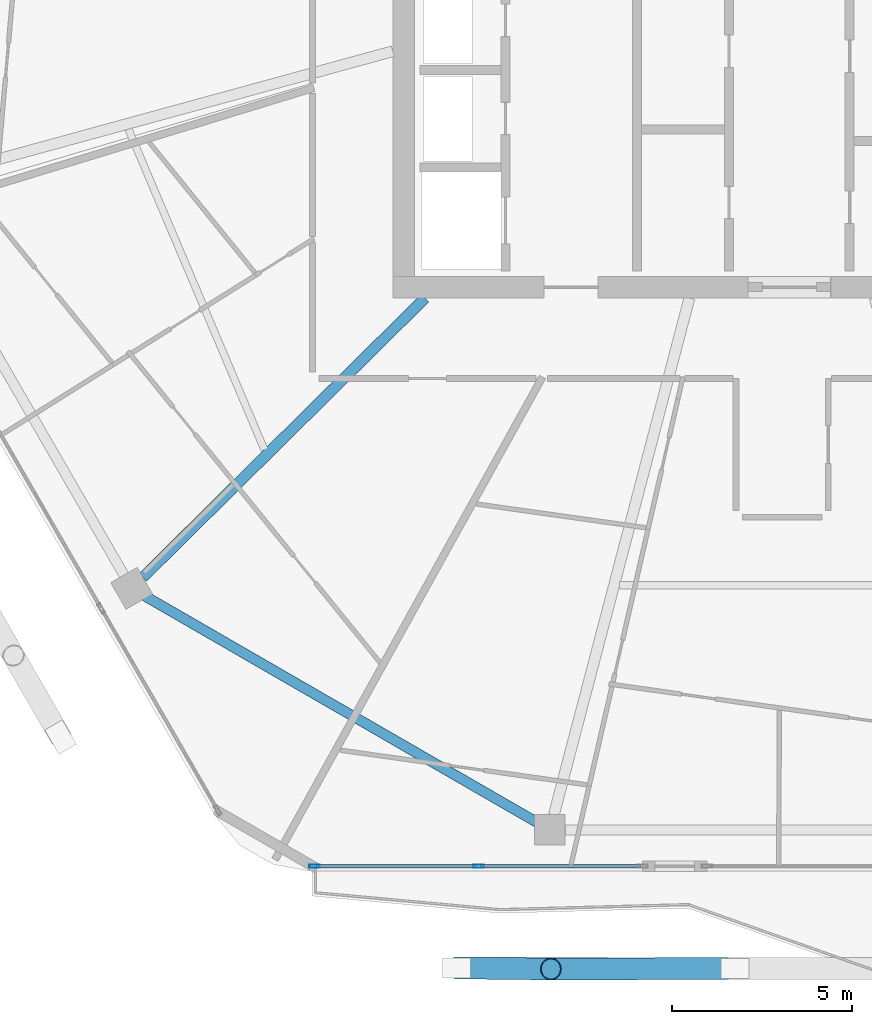
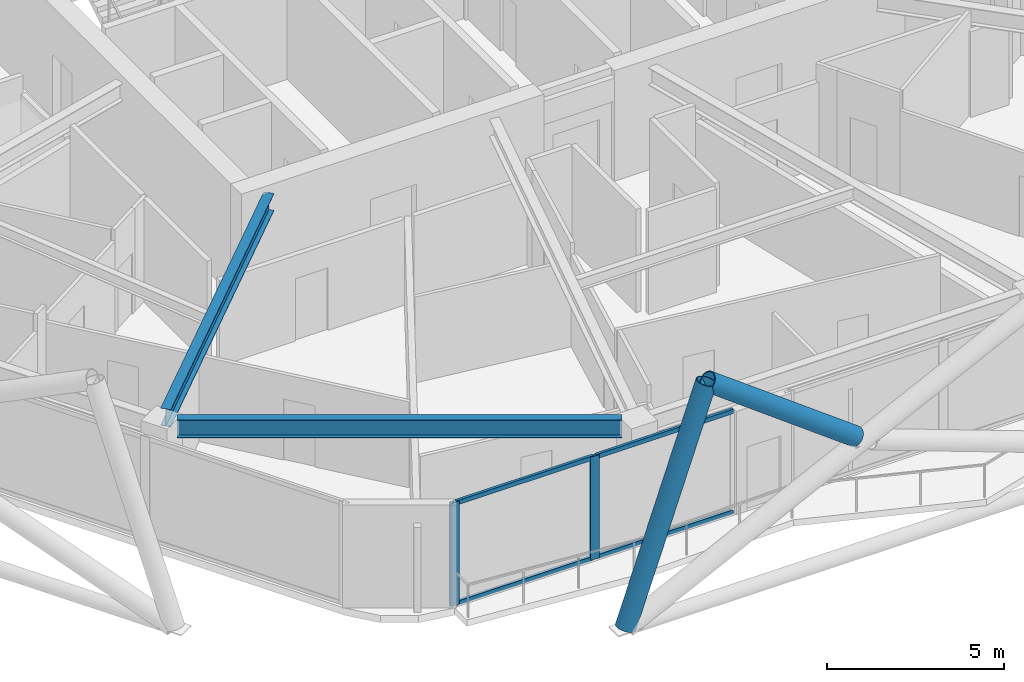
# One storey, part 3 of 27: 8 members, 2 beams, 1 element without a shape of its own.
"""IFC4 building model written with IfcOpenShell, lengths in metres."""

from ifc_helpers import new_model, si_unit, direction, frame, origin, origin_2d, place, context, subcontext, project, spatial, hollow_rectangle, hollow_circle, i_section, extrude, material, material_profile, profile_set, type_object, element, aggregate, save


model = new_model("IFC4")

# Units and contexts
model_context = context("Model", 3, precision=1e-05, world=origin(), true_north=direction((0.0, 1.0)))
body_context = subcontext(model_context, "Body", "Model", "MODEL_VIEW")
ifc_project = project(units=[si_unit("LENGTHUNIT", "METRE"), si_unit("AREAUNIT", "SQUARE_METRE"), si_unit("VOLUMEUNIT", "CUBIC_METRE"), si_unit("PLANEANGLEUNIT", "RADIAN"), si_unit("MASSUNIT", "GRAM", prefix="KILO")], contexts=[model_context])

# Site, building, storey
site_placement = place(None, origin())
site = spatial("IfcSite", under=ifc_project, at=site_placement, CompositionType="ELEMENT")
building_placement = place(site_placement, origin())
building = spatial("IfcBuilding", under=site, at=building_placement, Name="Zuhravey Tower", CompositionType="ELEMENT")
storey_placement = place(building_placement, frame((0.0, 0.0, 276.800048828125)))
storey = spatial("IfcBuildingStorey", under=building, at=storey_placement, Name="L70", CompositionType="ELEMENT", Elevation=276.800048828125)

# Curtain wall, members
ifc_material_1 = material(Name="Thermally broken anodised aluminium", Category="aluminium")
curtain_wall_type = type_object("IfcCurtainWallType", Name="Zone 3-4 High-Rise Curtain Wall CW4", PredefinedType="NOTDEFINED", material=ifc_material_1)
curtain_wall_placement = place(storey_placement, origin())
curtain_wall = element("IfcCurtainWall", 1, at=curtain_wall_placement, inside=storey, type_object=curtain_wall_type, Name="L70 CW4 CW-L70-F5-2", PredefinedType="NOTDEFINED")
ifc_material_2 = material(Name="Anodised aluminium", Category="aluminium")
ifc_material_profile_1 = material_profile(ifc_material_2, hollow_rectangle(XDim=0.090087890625, YDim=0.284912109375, WallThickness=0.0048828125, at=origin_2d()), Name="ALU-RHS-90x285x5")
ifc_profile_set_1 = profile_set([ifc_material_profile_1], Name="Anodised aluminium")
member_type_1 = type_object("IfcMemberType", Name="Curtain-Wall Mullion 90x180", PredefinedType="MULLION", material=ifc_profile_set_1)
member_1_placement = place(storey_placement, frame((27.58056640625, 6.436279296875, 0.0), z_axis=(0.0, 0.0, 1.0), x_axis=(0.0, -1.0, 0.0)))
member_1 = element("IfcMember", 2, at=member_1_placement, type_object=member_type_1, Name="CW4 mullion 2", PredefinedType="MULLION", context=body_context, shape_type="SweptSolid", body=[
    extrude(hollow_rectangle(XDim=0.090087890625, YDim=0.284912109375, WallThickness=0.0048828125, at=origin_2d()), origin(), (0.0, 0.0, 1.0), 3.550048828125),
])
member_2_placement = place(storey_placement, frame((23.0322265625, 6.436279296875, 0.0), z_axis=(0.0, 0.0, 1.0), x_axis=(0.0, -1.0, 0.0)))
member_2 = element("IfcMember", 3, at=member_2_placement, type_object=member_type_1, Name="CW4 mullion 3", PredefinedType="MULLION", context=body_context, shape_type="SweptSolid", body=[
    extrude(hollow_rectangle(XDim=0.090087890625, YDim=0.284912109375, WallThickness=0.0048828125, at=origin_2d()), origin(), (0.0, 0.0, 1.0), 3.550048828125),
])
ifc_material_profile_2 = material_profile(ifc_material_2, hollow_rectangle(XDim=0.090087890625, YDim=0.14990234375, WallThickness=0.0048828125, at=origin_2d()), Name="ALU-RHS-90x150x5")
ifc_profile_set_2 = profile_set([ifc_material_profile_2], Name="Anodised aluminium")
member_type_2 = type_object("IfcMemberType", Name="Curtain-Wall Transom 90x150", PredefinedType="USERDEFINED", material=ifc_profile_set_2)
member_3_placement = place(storey_placement, frame((32.083740234375, 6.436279296875, 0.044921875), z_axis=(-1.0, 0.0, 0.0), x_axis=(0.0, -1.0, 0.0)))
member_3 = element("IfcMember", 4, at=member_3_placement, type_object=member_type_2, Name="CW4 transom 1.1", ObjectType="TRANSOM", PredefinedType="USERDEFINED", context=body_context, shape_type="SweptSolid", body=[
    extrude(hollow_rectangle(XDim=0.090087890625, YDim=0.14990234375, WallThickness=0.0048828125, at=origin_2d()), origin(), (0.0, 0.0, 1.0), 4.458251953125),
])
member_4_placement = place(storey_placement, frame((32.083740234375, 6.436279296875, 3.5048828125), z_axis=(-1.0, 0.0, 0.0), x_axis=(0.0, -1.0, 0.0)))
member_4 = element("IfcMember", 5, at=member_4_placement, type_object=member_type_2, Name="CW4 transom 1.2", ObjectType="TRANSOM", PredefinedType="USERDEFINED", context=body_context, shape_type="SweptSolid", body=[
    extrude(hollow_rectangle(XDim=0.090087890625, YDim=0.14990234375, WallThickness=0.0048828125, at=origin_2d()), origin(), (0.0, 0.0, 1.0), 4.458251953125),
])
member_5_placement = place(storey_placement, frame((27.535400390625, 6.436279296875, 0.044921875), z_axis=(-1.0, 0.0, 0.0), x_axis=(0.0, -1.0, 0.0)))
member_5 = element("IfcMember", 6, at=member_5_placement, type_object=member_type_2, Name="CW4 transom 2.1", ObjectType="TRANSOM", PredefinedType="USERDEFINED", context=body_context, shape_type="SweptSolid", body=[
    extrude(hollow_rectangle(XDim=0.090087890625, YDim=0.14990234375, WallThickness=0.0048828125, at=origin_2d()), origin(), (0.0, 0.0, 1.0), 4.4580078125),
])
member_6_placement = place(storey_placement, frame((27.535400390625, 6.436279296875, 3.5048828125), z_axis=(-1.0, 0.0, 0.0), x_axis=(0.0, -1.0, 0.0)))
member_6 = element("IfcMember", 7, at=member_6_placement, type_object=member_type_2, Name="CW4 transom 2.2", ObjectType="TRANSOM", PredefinedType="USERDEFINED", context=body_context, shape_type="SweptSolid", body=[
    extrude(hollow_rectangle(XDim=0.090087890625, YDim=0.14990234375, WallThickness=0.0048828125, at=origin_2d()), origin(), (0.0, 0.0, 1.0), 4.4580078125),
])
aggregate(curtain_wall, [member_1, member_2, member_3, member_4, member_5, member_6])

# Members
ifc_material_3 = material(Name="Steel SM355", Category="steel")
ifc_material_profile_3 = material_profile(ifc_material_3, hollow_circle(Radius=0.3046875, WallThickness=0.028076171875, at=origin_2d()), Name="CHS-609.6x28")
ifc_profile_set_3 = profile_set([ifc_material_profile_3], Name="Steel SM355")
member_type_3 = type_object("IfcMemberType", Name="Exoskeleton Zone 3 Diagrid CHS610x28", PredefinedType="BRACE", material=ifc_profile_set_3)
member_7_placement = place(storey_placement, frame((26.977294921875, 3.6162109375, -0.446044921875), z_axis=(0.326058009418, -0.003722541376, 0.94534243382), x_axis=(0.011416063057, 0.999934834629, 0.0)))
element("IfcMember", 8, at=member_7_placement, inside=storey, type_object=member_type_3, Name="L70 Face 5 Diagrid Brace 1", PredefinedType="BRACE", context=body_context, shape_type="SweptSolid", body=[
    extrude(hollow_circle(Radius=0.3046875, WallThickness=0.028076171875, at=origin_2d()), origin(), (0.0, 0.0, 1.0), 8.001220703125),
])
member_8_placement = place(storey_placement, frame((34.452880859375, 3.6005859375, 3.51220703125), z_axis=(-0.801711857195, -0.002351417837, 0.597706089033), x_axis=(0.002932983592, -0.999995698794, 0.0)))
element("IfcMember", 9, at=member_8_placement, inside=storey, type_object=member_type_3, Name="L70 Face 5 Split Diagrid Brace 3B", PredefinedType="BRACE", context=body_context, shape_type="SweptSolid", body=[
    extrude(hollow_circle(Radius=0.3046875, WallThickness=0.028076171875, at=origin_2d()), origin(), (0.0, 0.0, 1.0), 6.02197265625),
])

# Beams
ifc_material_profile_4 = material_profile(ifc_material_3, i_section(OverallWidth=0.280029296875, OverallDepth=0.6201171875, WebThickness=0.011962890625, FlangeThickness=0.02001953125, at=origin_2d()), Name="H-620x280x12x20")
ifc_profile_set_4 = profile_set([ifc_material_profile_4], Name="Steel SM355")
beam_type_1 = type_object("IfcBeamType", Name="Perimeter Ring Beam H620x280", PredefinedType="BEAM", material=ifc_profile_set_4)
beam_1_placement = place(storey_placement, frame((18.3271484375, 13.931396484375, 3.239990234375), z_axis=(0.866018312875, -0.500012281615, 0.0), x_axis=(0.500012281615, 0.866018312875, 0.0)))
element("IfcBeam", 10, at=beam_1_placement, inside=storey, type_object=beam_type_1, Name="L70 PB3 BM-L70-PB-08", PredefinedType="BEAM", context=body_context, shape_type="SweptSolid", body=[
    extrude(i_section(OverallWidth=0.280029296875, OverallDepth=0.6201171875, WebThickness=0.011962890625, FlangeThickness=0.02001953125, at=origin_2d()), origin(), (0.0, 0.0, 1.0), 12.541748046875),
])
ifc_material_profile_5 = material_profile(ifc_material_3, i_section(OverallWidth=0.300048828125, OverallDepth=0.60009765625, WebThickness=0.011962890625, FlangeThickness=0.02001953125, at=origin_2d()), Name="H-600x300x12x20")
ifc_profile_set_5 = profile_set([ifc_material_profile_5], Name="Steel SM355")
beam_type_2 = type_object("IfcBeamType", Name="Radial Primary Girder H600x300", PredefinedType="BEAM", material=ifc_profile_set_5)
beam_2_placement = place(storey_placement, frame((26.09326171875, 22.197021484375, 3.25), z_axis=(-0.710808169267, -0.70338591577, 0.0), x_axis=(0.70338591577, -0.710808169267, 0.0)))
element("IfcBeam", 11, at=beam_2_placement, inside=storey, type_object=beam_type_2, Name="L70 RG3 BM-L70-RAD-08", PredefinedType="BEAM", context=body_context, shape_type="SweptSolid", body=[
    extrude(i_section(OverallWidth=0.300048828125, OverallDepth=0.60009765625, WebThickness=0.011962890625, FlangeThickness=0.02001953125, at=origin_2d()), origin(), (0.0, 0.0, 1.0), 11.019287109375),
])

save(model, "model.ifc")
